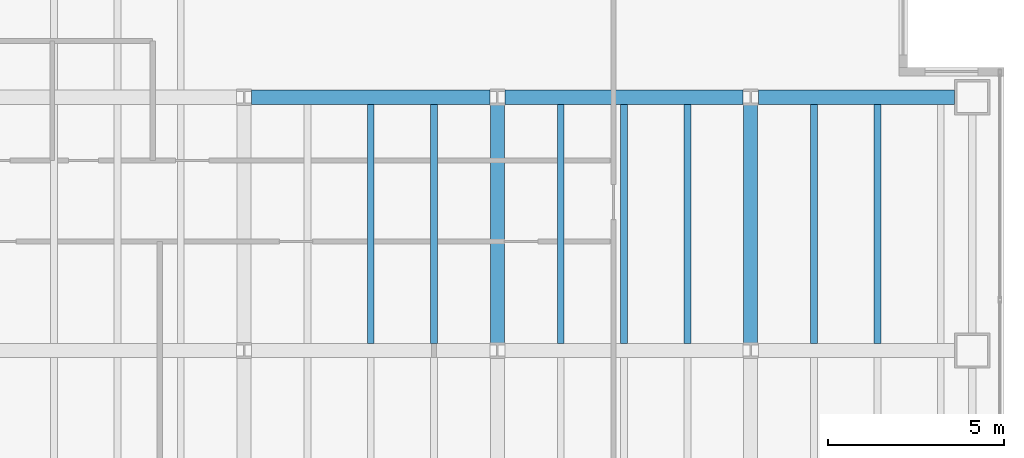
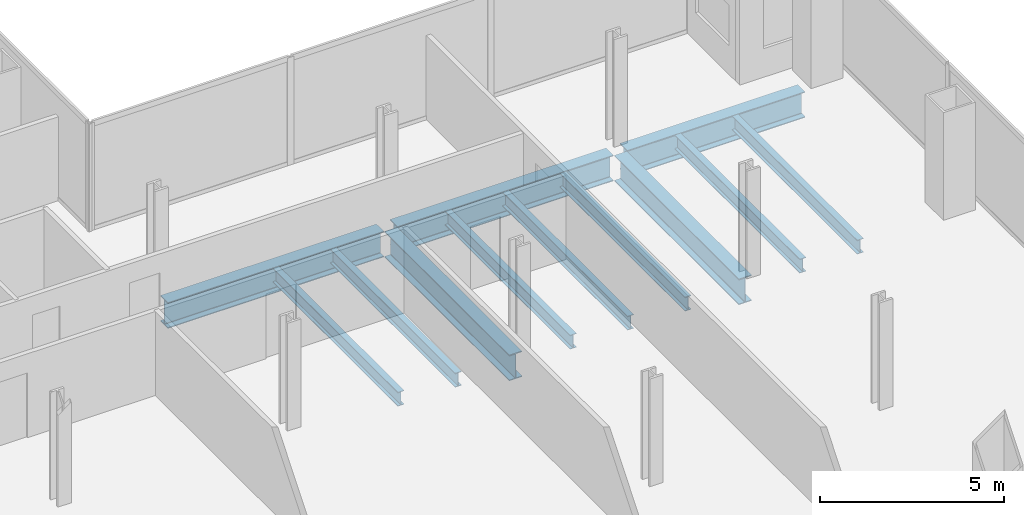
# One storey, part 11 of 23: 12 beams.
"""IFC4 building model written with IfcOpenShell, lengths in metres."""

from ifc_helpers import new_model, si_unit, direction, frame, origin, origin_2d, place, context, subcontext, project, spatial, i_section, extrude, material, material_profile, profile_set, type_object, element, save


model = new_model("IFC4")

# Units and contexts
model_context = context("Model", 3, precision=1e-05, world=origin(), true_north=direction((0.0, 1.0)))
body_context = subcontext(model_context, "Body", "Model", "MODEL_VIEW")
ifc_project = project(units=[si_unit("LENGTHUNIT", "METRE"), si_unit("AREAUNIT", "SQUARE_METRE"), si_unit("VOLUMEUNIT", "CUBIC_METRE"), si_unit("PLANEANGLEUNIT", "RADIAN"), si_unit("MASSUNIT", "GRAM", prefix="KILO")], contexts=[model_context])

# Site, building, storey
site_placement = place(None, origin())
site = spatial("IfcSite", under=ifc_project, at=site_placement, CompositionType="ELEMENT")
building_placement = place(site_placement, origin())
building = spatial("IfcBuilding", under=site, at=building_placement, Name="Cobrela Telecom Tower", CompositionType="ELEMENT")
storey_placement = place(building_placement, frame((0.0, 0.0, 73.5)))
storey = spatial("IfcBuildingStorey", under=building, at=storey_placement, Name="L18", CompositionType="ELEMENT", Elevation=73.5)

# Beams
ifc_material = material(Name="Steel ASTM A992 Grade 50", Category="steel")
ifc_material_profile_1 = material_profile(ifc_material, i_section(OverallWidth=0.39892578125, OverallDepth=0.85595703125, WebThickness=0.018310546875, FlangeThickness=0.029296875, FilletRadius=0.02001953125, at=origin_2d()), Name="W33X201")
ifc_profile_set_1 = profile_set([ifc_material_profile_1], Name="Steel ASTM A992 Grade 50")
beam_type_1 = type_object("IfcBeamType", Name="BM-GIRD-03", PredefinedType="USERDEFINED", material=ifc_profile_set_1)
for number, where, z_axis, x_axis, name in (
    (1, (29.01611328125, 21.60009765625, -0.7080078125), (1.0, 0.0, 0.0), (0.0, 1.0, 0.0), "L18 Primary Girder X20"),
    (2, (36.216064453125, 21.60009765625, -0.7080078125), (1.0, 0.0, 0.0), (0.0, 1.0, 0.0), "L18 Primary Girder X21"),
):
    element("IfcBeam", number, at=place(storey_placement, frame(where, z_axis=z_axis, x_axis=x_axis)), inside=storey, type_object=beam_type_1, Name=name, ObjectType="GIRDER", PredefinedType="USERDEFINED", context=body_context, shape_type="SweptSolid", body=[
        extrude(i_section(OverallWidth=0.39892578125, OverallDepth=0.85595703125, WebThickness=0.018310546875, FlangeThickness=0.029296875, FilletRadius=0.02001953125, at=origin_2d()), origin(), (0.0, 0.0, 1.0), 6.767822265625),
    ])
beam_placement = place(storey_placement, frame((43.416015625, 21.60009765625, -0.7080078125), z_axis=(1.0, 0.0, 0.0), x_axis=(0.0, 1.0, 0.0)))
element("IfcBeam", 3, at=beam_placement, inside=storey, type_object=beam_type_1, Name="L18 Primary Girder X22", ObjectType="GIRDER", PredefinedType="USERDEFINED", context=body_context, shape_type="SweptSolid", body=[
    extrude(i_section(OverallWidth=0.39892578125, OverallDepth=0.85595703125, WebThickness=0.018310546875, FlangeThickness=0.029296875, FilletRadius=0.02001953125, at=origin_2d()), origin(), (0.0, 0.0, 1.0), 5.5791015625),
])
for number, where, z_axis, x_axis, name in (
    (4, (36.0, 14.615966796875, -0.7080078125), (0.0, 1.0, 0.0), (-1.0, 0.0, 0.0), "L18 Primary Girder Y52"),
    (5, (43.199951171875, 14.615966796875, -0.7080078125), (0.0, 1.0, 0.0), (-1.0, 0.0, 0.0), "L18 Primary Girder Y55"),
):
    element("IfcBeam", number, at=place(storey_placement, frame(where, z_axis=z_axis, x_axis=x_axis)), inside=storey, type_object=beam_type_1, Name=name, ObjectType="GIRDER", PredefinedType="USERDEFINED", context=body_context, shape_type="SweptSolid", body=[
        extrude(i_section(OverallWidth=0.39892578125, OverallDepth=0.85595703125, WebThickness=0.018310546875, FlangeThickness=0.029296875, FilletRadius=0.02001953125, at=origin_2d()), origin(), (0.0, 0.0, 1.0), 6.76806640625),
    ])
ifc_material_profile_2 = material_profile(ifc_material, i_section(OverallWidth=0.193115234375, OverallDepth=0.467041015625, WebThickness=0.011474609375, FlangeThickness=0.01904296875, FilletRadius=0.012939453125, at=origin_2d()), Name="W18X65")
ifc_profile_set_2 = profile_set([ifc_material_profile_2], Name="Steel ASTM A992 Grade 50")
beam_type_2 = type_object("IfcBeamType", Name="BM-JOIST-03", PredefinedType="JOIST", material=ifc_profile_set_2)
for number, where, z_axis, x_axis, name in (
    (6, (32.39990234375, 14.6044921875, -0.513427734375), (0.0, 1.0, 0.0), (-1.0, 0.0, 0.0), "L18 Secondary Composite Floor Beam J46"),
    (7, (34.199951171875, 14.6044921875, -0.513427734375), (0.0, 1.0, 0.0), (-1.0, 0.0, 0.0), "L18 Secondary Composite Floor Beam J49"),
    (8, (37.800048828125, 14.6044921875, -0.513427734375), (0.0, 1.0, 0.0), (-1.0, 0.0, 0.0), "L18 Secondary Composite Floor Beam J52"),
    (9, (39.60009765625, 14.6044921875, -0.513427734375), (0.0, 1.0, 0.0), (-1.0, 0.0, 0.0), "L18 Secondary Composite Floor Beam J55"),
    (10, (41.39990234375, 14.6044921875, -0.513427734375), (0.0, 1.0, 0.0), (-1.0, 0.0, 0.0), "L18 Secondary Composite Floor Beam J58"),
    (11, (45.0, 14.6044921875, -0.513427734375), (0.0, 1.0, 0.0), (-1.0, 0.0, 0.0), "L18 Secondary Composite Floor Beam J60"),
    (12, (46.800048828125, 14.6044921875, -0.513427734375), (0.0, 1.0, 0.0), (-1.0, 0.0, 0.0), "L18 Secondary Composite Floor Beam J62"),
):
    element("IfcBeam", number, at=place(storey_placement, frame(where, z_axis=z_axis, x_axis=x_axis)), inside=storey, type_object=beam_type_2, Name=name, PredefinedType="JOIST", context=body_context, shape_type="SweptSolid", body=[
        extrude(i_section(OverallWidth=0.193115234375, OverallDepth=0.467041015625, WebThickness=0.011474609375, FlangeThickness=0.01904296875, FilletRadius=0.012939453125, at=origin_2d()), origin(), (0.0, 0.0, 1.0), 6.791015625),
    ])

save(model, "model.ifc")
